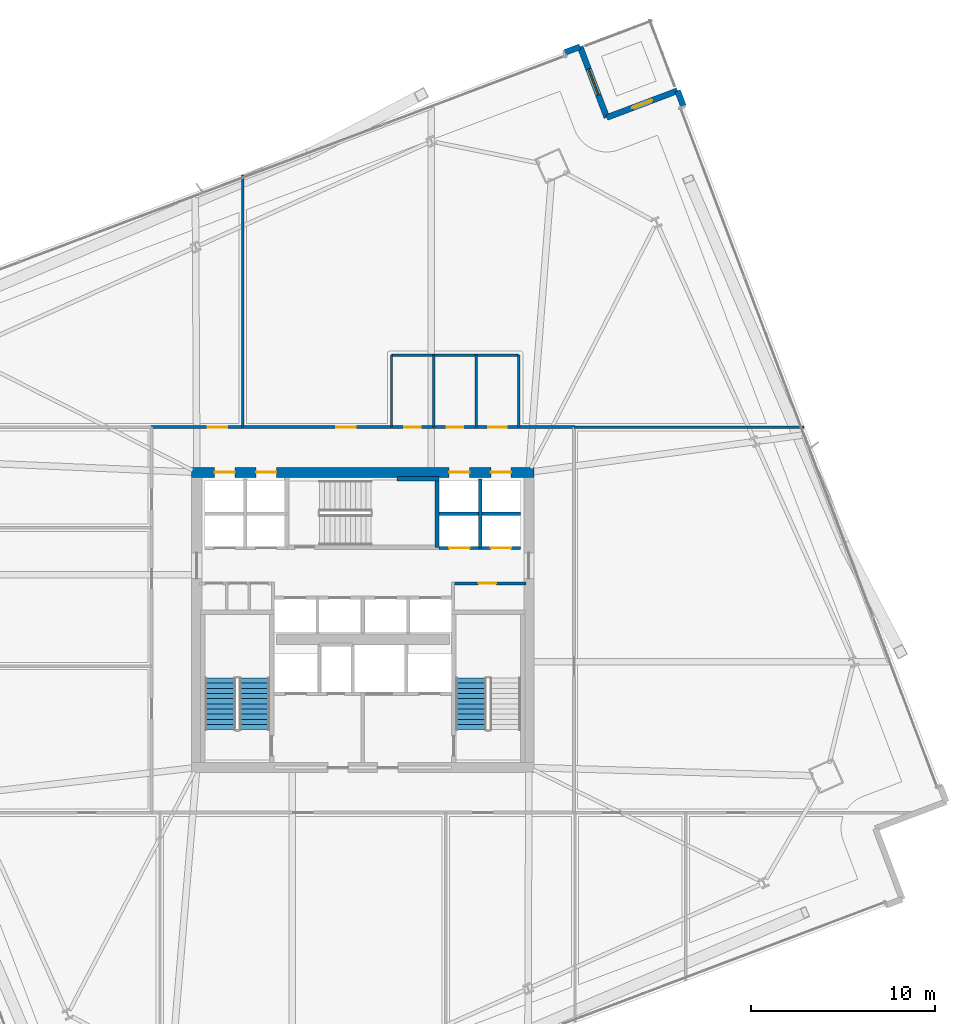
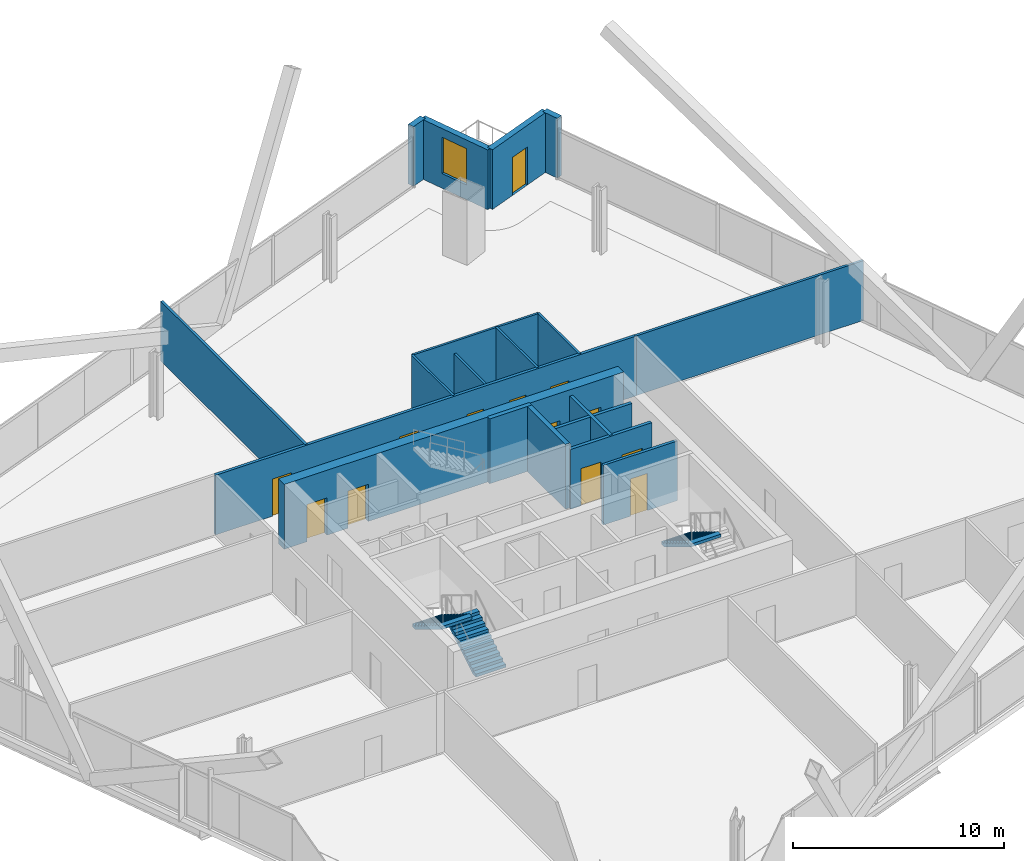
# One storey, part 31 of 37: 19 walls, 13 doors, 3 stair flights, 1 window, 14 openings, 2 elements without a shape of their own.
"""IFC4 building model written with IfcOpenShell, lengths in metres."""

from ifc_helpers import new_model, si_unit, direction, frame, frame_2d, origin, place, context, subcontext, project, spatial, polyline, rectangle, outline, extrude, material, layer, layer_set, type_object, element, fill, aggregate, save


model = new_model("IFC4")

# Units and contexts
model_context = context("Model", 3, precision=1e-05, world=origin(), true_north=direction((0.0, 1.0)))
body_context = subcontext(model_context, "Body", "Model", "MODEL_VIEW")
ifc_project = project(units=[si_unit("LENGTHUNIT", "METRE"), si_unit("AREAUNIT", "SQUARE_METRE"), si_unit("VOLUMEUNIT", "CUBIC_METRE"), si_unit("PLANEANGLEUNIT", "RADIAN"), si_unit("MASSUNIT", "GRAM", prefix="KILO")], contexts=[model_context])

# Site, building, storey
site_placement = place(None, origin())
site = spatial("IfcSite", under=ifc_project, at=site_placement, CompositionType="ELEMENT")
building_placement = place(site_placement, origin())
building = spatial("IfcBuilding", under=site, at=building_placement, Name="Haldenkirk Collegiate Tower", CompositionType="ELEMENT")
storey_placement = place(building_placement, frame((0.0, 0.0, 97.949951171875)))
storey = spatial("IfcBuildingStorey", under=building, at=storey_placement, Name="L23", CompositionType="ELEMENT", Elevation=97.949951171875)

# Wall, openings, doors
ifc_material_1 = material(Name="Concrete f'c 70 MPa", Category="concrete")
ifc_layer_1 = layer(ifc_material_1, 0.550048828125)
ifc_layer_set_1 = layer_set([ifc_layer_1], Name="Concrete f'c 70 MPa")
wall_type_1 = type_object("IfcWallType", Name="WL-CORE-550", PredefinedType="SHEAR", material=ifc_layer_set_1)
wall_1_placement = place(storey_placement, frame((26.72509765625, 34.0, 0.0), z_axis=(0.0, 0.0, 1.0), x_axis=(1.0, 0.0, 0.0)))
wall_1 = element("IfcWall", 1, at=wall_1_placement, inside=storey, type_object=wall_type_1, Name="L23 central core shear wall N", PredefinedType="SHEAR", context=body_context, shape_type="SweptSolid", body=[
    extrude(rectangle(XDim=18.5498046875, YDim=0.550048828125, at=frame_2d((9.27490234375, 0.0))), origin(), (0.0, 0.0, 1.0), 3.75),
])
opening_1_placement = place(wall_1_placement, frame((1.239990234375, 0.0, 0.0)))
opening_1 = element("IfcOpeningElement", 2, at=opening_1_placement, cuts=wall_1, Name="Opening LD-11", PredefinedType="OPENING", context=body_context, shape_type="SweptSolid", body=[
    extrude(rectangle(XDim=1.10009765625, YDim=2.14990234375, at=frame_2d((0.550048828125, 1.074951171875))), frame((0.0, 0.284912109375, 0.0), z_axis=(0.0, -1.0, 0.0), x_axis=(1.0, 0.0, 0.0)), (0.0, 0.0, 1.0), 0.570068359375),
])
opening_2_placement = place(wall_1_placement, frame((3.489990234375, 0.0, 0.0)))
opening_2 = element("IfcOpeningElement", 3, at=opening_2_placement, cuts=wall_1, Name="Opening LD-11", PredefinedType="OPENING", context=body_context, shape_type="SweptSolid", body=[
    extrude(rectangle(XDim=1.10009765625, YDim=2.14990234375, at=frame_2d((0.550048828125, 1.074951171875))), frame((0.0, 0.284912109375, 0.0), z_axis=(0.0, -1.0, 0.0), x_axis=(1.0, 0.0, 0.0)), (0.0, 0.0, 1.0), 0.570068359375),
])
opening_3_placement = place(wall_1_placement, frame((13.9599609375, 0.0, 0.0)))
opening_3 = element("IfcOpeningElement", 4, at=opening_3_placement, cuts=wall_1, Name="Opening LD-11", PredefinedType="OPENING", context=body_context, shape_type="SweptSolid", body=[
    extrude(rectangle(XDim=1.10009765625, YDim=2.14990234375, at=frame_2d((0.550048828125, 1.074951171875))), frame((0.0, 0.284912109375, 0.0), z_axis=(0.0, -1.0, 0.0), x_axis=(1.0, 0.0, 0.0)), (0.0, 0.0, 1.0), 0.570068359375),
])
opening_4_placement = place(wall_1_placement, frame((16.2099609375, 0.0, 0.0)))
opening_4 = element("IfcOpeningElement", 5, at=opening_4_placement, cuts=wall_1, Name="Opening LD-11", PredefinedType="OPENING", context=body_context, shape_type="SweptSolid", body=[
    extrude(rectangle(XDim=1.10009765625, YDim=2.14990234375, at=frame_2d((0.550048828125, 1.074951171875))), frame((0.0, 0.284912109375, 0.0), z_axis=(0.0, -1.0, 0.0), x_axis=(1.0, 0.0, 0.0)), (0.0, 0.0, 1.0), 0.570068359375),
])
ifc_material_2 = material(Name="Brushed architectural stainless steel", Category="steel")
ifc_layer_2 = layer(ifc_material_2, 0.06005859375)
ifc_layer_set_2 = layer_set([ifc_layer_2], Name="Brushed architectural stainless steel")
door_type_1 = type_object("IfcDoorType", Name="LD-PASS-1100", OperationType="NOTDEFINED", PredefinedType="DOOR", material=ifc_layer_set_2)
door_1_placement = place(opening_1_placement, origin())
door_1 = element("IfcDoor", 6, at=door_1_placement, inside=storey, type_object=door_type_1, Name="L23 Elevator PL3 sliding landing door", OperationType="SLIDING_TO_LEFT", OverallHeight=2.14990234375, OverallWidth=1.10009765625, PredefinedType="DOOR", context=body_context, shape_type="SweptSolid", body=[
    extrude(rectangle(XDim=1.10009765625, YDim=2.14990234375, at=frame_2d((0.550048828125, 1.074951171875))), frame((0.0, 0.02490234375, 0.0), z_axis=(0.0, -1.0, 0.0), x_axis=(1.0, 0.0, 0.0)), (0.0, 0.0, 1.0), 0.050048828125),
])
fill(opening_1, door_1)
door_2_placement = place(opening_2_placement, origin())
door_2 = element("IfcDoor", 7, at=door_2_placement, inside=storey, type_object=door_type_1, Name="L23 Elevator PL4 sliding landing door", OperationType="SLIDING_TO_LEFT", OverallHeight=2.14990234375, OverallWidth=1.10009765625, PredefinedType="DOOR", context=body_context, shape_type="SweptSolid", body=[
    extrude(rectangle(XDim=1.10009765625, YDim=2.14990234375, at=frame_2d((0.550048828125, 1.074951171875))), frame((0.0, 0.02490234375, 0.0), z_axis=(0.0, -1.0, 0.0), x_axis=(1.0, 0.0, 0.0)), (0.0, 0.0, 1.0), 0.050048828125),
])
fill(opening_2, door_2)
door_3_placement = place(opening_3_placement, origin())
door_3 = element("IfcDoor", 8, at=door_3_placement, inside=storey, type_object=door_type_1, Name="L23 Elevator PM3 sliding landing door", OperationType="SLIDING_TO_LEFT", OverallHeight=2.14990234375, OverallWidth=1.10009765625, PredefinedType="DOOR", context=body_context, shape_type="SweptSolid", body=[
    extrude(rectangle(XDim=1.10009765625, YDim=2.14990234375, at=frame_2d((0.550048828125, 1.074951171875))), frame((0.0, 0.02490234375, 0.0), z_axis=(0.0, -1.0, 0.0), x_axis=(1.0, 0.0, 0.0)), (0.0, 0.0, 1.0), 0.050048828125),
])
fill(opening_3, door_3)
door_4_placement = place(opening_4_placement, origin())
door_4 = element("IfcDoor", 9, at=door_4_placement, inside=storey, type_object=door_type_1, Name="L23 Elevator PM4 sliding landing door", OperationType="SLIDING_TO_LEFT", OverallHeight=2.14990234375, OverallWidth=1.10009765625, PredefinedType="DOOR", context=body_context, shape_type="SweptSolid", body=[
    extrude(rectangle(XDim=1.10009765625, YDim=2.14990234375, at=frame_2d((0.550048828125, 1.074951171875))), frame((0.0, 0.02490234375, 0.0), z_axis=(0.0, -1.0, 0.0), x_axis=(1.0, 0.0, 0.0)), (0.0, 0.0, 1.0), 0.050048828125),
])
fill(opening_4, door_4)

# Wall
ifc_material_3 = material(Name="Precast concrete f'c 40 MPa", Category="concrete")
ifc_layer_3 = layer(ifc_material_3, 0.320068359375)
ifc_layer_set_3 = layer_set([ifc_layer_3], Name="Precast concrete f'c 40 MPa")
wall_type_2 = type_object("IfcWallType", Name="WL-EXT-TWR-320", PredefinedType="STANDARD", material=ifc_layer_set_3)
wall_2_placement = place(storey_placement, frame((53.062744140625, 54.682861328125, 0.0), z_axis=(0.0, 0.0, 1.0), x_axis=(0.353500808466, -0.93543421918, 0.0)))
element("IfcWall", 10, at=wall_2_placement, inside=storey, type_object=wall_type_2, Name="L23 precast corner pier EL", PredefinedType="STANDARD", context=body_context, shape_type="SweptSolid", body=[
    extrude(rectangle(XDim=0.89990234375, YDim=0.320068359375, at=frame_2d((0.449951171875, 0.0))), origin(), (0.0, 0.0, 1.0), 3.449951171875),
])

# Wall, opening, door
wall_3_placement = place(storey_placement, frame((49.2275390625, 53.233642578125, 0.0), z_axis=(0.0, 0.0, 1.0), x_axis=(0.935442779556, 0.353478155162, 0.0)))
wall_3 = element("IfcWall", 11, at=wall_3_placement, inside=storey, type_object=wall_type_2, Name="L23 bronze precast notch wall 05", PredefinedType="STANDARD", context=body_context, shape_type="SweptSolid", body=[
    extrude(rectangle(XDim=4.099853515625, YDim=0.320068359375, at=frame_2d((2.0498046875, 0.0))), origin(), (0.0, 0.0, 1.0), 3.449951171875),
])
opening_5_placement = place(wall_3_placement, frame((1.47509765625, 0.0, 0.0)))
opening_5 = element("IfcOpeningElement", 12, at=opening_5_placement, cuts=wall_3, Name="Opening D-ST11", PredefinedType="OPENING", context=body_context, shape_type="SweptSolid", body=[
    extrude(rectangle(XDim=1.14990234375, YDim=2.199951171875, at=frame_2d((0.574951171875, 1.10009765625))), frame((0.0, 0.169921875, 0.0), z_axis=(0.0, -1.0, 0.0), x_axis=(1.0, 0.0, 0.0)), (0.0, 0.0, 1.0), 0.340087890625),
])
ifc_material_4 = material(Name="Anodised architectural bronze aluminium", Category="aluminium")
ifc_layer_4 = layer(ifc_material_4, 0.080078125)
ifc_layer_set_4 = layer_set([ifc_layer_4], Name="Anodised architectural bronze aluminium")
door_type_2 = type_object("IfcDoorType", Name="DR-EXT-STER-1150", OperationType="NOTDEFINED", PredefinedType="DOOR", material=ifc_layer_set_4)
door_5_placement = place(opening_5_placement, origin())
door_5 = element("IfcDoor", 13, at=door_5_placement, inside=storey, type_object=door_type_2, Name="L23 spiralling terrace door", OperationType="SINGLE_SWING_RIGHT", OverallHeight=2.199951171875, OverallWidth=1.14990234375, PredefinedType="DOOR", context=body_context, shape_type="SweptSolid", body=[
    extrude(rectangle(XDim=1.14990234375, YDim=2.199951171875, at=frame_2d((0.574951171875, 1.10009765625))), frame((0.0, 0.02490234375, 0.0), z_axis=(0.0, -1.0, 0.0), x_axis=(1.0, 0.0, 0.0)), (0.0, 0.0, 1.0), 0.050048828125),
])
fill(opening_5, door_5)

# Wall, opening, window
wall_4_placement = place(storey_placement, frame((47.7783203125, 57.069091796875, 0.0), z_axis=(0.0, 0.0, 1.0), x_axis=(0.353458466055, -0.935450219292, 0.0)))
wall_4 = element("IfcWall", 14, at=wall_4_placement, inside=storey, type_object=wall_type_2, Name="L23 bronze precast notch wall 06", PredefinedType="STANDARD", context=body_context, shape_type="SweptSolid", body=[
    extrude(rectangle(XDim=4.10009765625, YDim=0.320068359375, at=frame_2d((2.050048828125, 0.0))), origin(), (0.0, 0.0, 1.0), 3.449951171875),
])
opening_6_placement = place(wall_4_placement, frame((1.300048828125, 0.0, 0.85009765625)))
opening_6 = element("IfcOpeningElement", 15, at=opening_6_placement, cuts=wall_4, Name="Opening W-04", PredefinedType="OPENING", context=body_context, shape_type="SweptSolid", body=[
    extrude(rectangle(XDim=1.5, YDim=2.10009765625, at=frame_2d((0.75, 1.050048828125))), frame((0.0, 0.169921875, 0.0), z_axis=(0.0, -1.0, 0.0), x_axis=(1.0, 0.0, 0.0)), (0.0, 0.0, 1.0), 0.340087890625),
])
ifc_material_5 = material(Name="Low-E argon triple insulating glass", Category="glass")
ifc_layer_5 = layer(ifc_material_5, 0.090087890625)
ifc_layer_set_5 = layer_set([ifc_layer_5], Name="Low-E argon triple insulating glass")
window_type = type_object("IfcWindowType", Name="WN-Z2-1500X2100", PartitioningType="SINGLE_PANEL", PredefinedType="WINDOW", material=ifc_layer_set_5)
window_placement = place(opening_6_placement, origin())
window = element("IfcWindow", 16, at=window_placement, inside=storey, type_object=window_type, Name="L23 precast-frame academic window 5", OverallHeight=2.10009765625, OverallWidth=1.5, PartitioningType="SINGLE_PANEL", PredefinedType="WINDOW", context=body_context, shape_type="SweptSolid", body=[
    extrude(rectangle(XDim=1.5, YDim=2.10009765625, at=frame_2d((0.75, 1.050048828125))), frame((0.0, 0.030029296875, 0.0), z_axis=(0.0, -1.0, 0.0), x_axis=(1.0, 0.0, 0.0)), (0.0, 0.0, 1.0), 0.06005859375),
])
fill(opening_6, window)

# Wall
wall_5_placement = place(storey_placement, frame((46.936279296875, 56.7509765625, 0.0), z_axis=(0.0, 0.0, 1.0), x_axis=(0.935468108396, 0.353411117785, 0.0)))
element("IfcWall", 17, at=wall_5_placement, inside=storey, type_object=wall_type_2, Name="L23 precast corner pier NR", PredefinedType="STANDARD", context=body_context, shape_type="SweptSolid", body=[
    extrude(rectangle(XDim=0.900146484375, YDim=0.320068359375, at=frame_2d((0.4501953125, 0.0))), origin(), (0.0, 0.0, 1.0), 3.449951171875),
])

# Wall, opening, door
ifc_material_6 = material(Name="Acoustic fire-rated gypsum partition", Category="concrete")
ifc_layer_6 = layer(ifc_material_6, 0.159912109375)
ifc_layer_set_6 = layer_set([ifc_layer_6], Name="Acoustic fire-rated gypsum partition")
wall_type_3 = type_object("IfcWallType", Name="WL-INT-CORR-160", PredefinedType="PARTITIONING", material=ifc_layer_set_6)
wall_6_placement = place(storey_placement, frame((40.800048828125, 27.97998046875, 0.0), z_axis=(0.0, 0.0, 1.0), x_axis=(1.0, 0.0, 0.0)))
wall_6 = element("IfcWall", 18, at=wall_6_placement, inside=storey, type_object=wall_type_3, Name="L23 interior partition IW-L23-VCSE-N", PredefinedType="PARTITIONING", context=body_context, shape_type="SweptSolid", body=[
    extrude(rectangle(XDim=4.050048828125, YDim=0.159912109375, at=frame_2d((2.02490234375, 0.0))), origin(), (0.0, 0.0, 1.0), 3.449951171875),
])
opening_7_placement = place(wall_6_placement, frame((1.47509765625, 0.0, 0.0)))
opening_7 = element("IfcOpeningElement", 19, at=opening_7_placement, cuts=wall_6, Name="Opening D-10", PredefinedType="OPENING", context=body_context, shape_type="SweptSolid", body=[
    extrude(rectangle(XDim=0.949951171875, YDim=2.14990234375, at=frame_2d((0.47509765625, 1.074951171875))), frame((0.0, 0.08984375, 0.0), z_axis=(0.0, -1.0, 0.0), x_axis=(1.0, 0.0, 0.0)), (0.0, 0.0, 1.0), 0.179931640625),
])
ifc_material_7 = material(Name="Solid-core architectural oak fire door", Category="wood")
ifc_layer_7 = layer(ifc_material_7, 0.06005859375)
ifc_layer_set_7 = layer_set([ifc_layer_7], Name="Solid-core architectural oak fire door")
door_type_3 = type_object("IfcDoorType", Name="DR-INT-FD60-950", OperationType="NOTDEFINED", PredefinedType="DOOR", material=ifc_layer_set_7)
door_6_placement = place(opening_7_placement, origin())
door_6 = element("IfcDoor", 20, at=door_6_placement, inside=storey, type_object=door_type_3, Name="L23 core archive vault door", OperationType="SINGLE_SWING_LEFT", OverallHeight=2.14990234375, OverallWidth=0.949951171875, PredefinedType="DOOR", context=body_context, shape_type="SweptSolid", body=[
    extrude(rectangle(XDim=0.949951171875, YDim=2.14990234375, at=frame_2d((0.47509765625, 1.074951171875))), frame((0.0, 0.02490234375, 0.0), z_axis=(0.0, -1.0, 0.0), x_axis=(1.0, 0.0, 0.0)), (0.0, 0.0, 1.0), 0.050048828125),
])
fill(opening_7, door_6)

# Wall, openings, doors
wall_7_placement = place(storey_placement, frame((24.5, 36.449951171875, 0.0), z_axis=(0.0, 0.0, 1.0), x_axis=(1.0, 0.0, 0.0)))
wall_7 = element("IfcWall", 21, at=wall_7_placement, inside=storey, type_object=wall_type_3, Name="L23 interior partition IW-L23-CN", PredefinedType="PARTITIONING", context=body_context, shape_type="SweptSolid", body=[
    extrude(rectangle(XDim=23.0, YDim=0.159912109375, at=frame_2d((11.5, 0.0))), origin(), (0.0, 0.0, 1.0), 3.449951171875),
])
opening_8_placement = place(wall_7_placement, frame((13.75, 0.0, 0.0)))
opening_8 = element("IfcOpeningElement", 22, at=opening_8_placement, cuts=wall_7, Name="Opening D-13", PredefinedType="OPENING", context=body_context, shape_type="SweptSolid", body=[
    extrude(rectangle(XDim=0.89990234375, YDim=2.14990234375, at=frame_2d((0.449951171875, 1.074951171875))), frame((0.0, 0.08984375, 0.0), z_axis=(0.0, -1.0, 0.0), x_axis=(1.0, 0.0, 0.0)), (0.0, 0.0, 1.0), 0.179931640625),
])
opening_9_placement = place(wall_7_placement, frame((16.050048828125, 0.0, 0.0)))
opening_9 = element("IfcOpeningElement", 23, at=opening_9_placement, cuts=wall_7, Name="Opening D-13", PredefinedType="OPENING", context=body_context, shape_type="SweptSolid", body=[
    extrude(rectangle(XDim=0.89990234375, YDim=2.14990234375, at=frame_2d((0.449951171875, 1.074951171875))), frame((0.0, 0.08984375, 0.0), z_axis=(0.0, -1.0, 0.0), x_axis=(1.0, 0.0, 0.0)), (0.0, 0.0, 1.0), 0.179931640625),
])
opening_10_placement = place(wall_7_placement, frame((18.300048828125, 0.0, 0.0)))
opening_10 = element("IfcOpeningElement", 24, at=opening_10_placement, cuts=wall_7, Name="Opening D-14", PredefinedType="OPENING", context=body_context, shape_type="SweptSolid", body=[
    extrude(rectangle(XDim=1.0, YDim=2.14990234375, at=frame_2d((0.5, 1.074951171875))), frame((0.0, 0.08984375, 0.0), z_axis=(0.0, -1.0, 0.0), x_axis=(1.0, 0.0, 0.0)), (0.0, 0.0, 1.0), 0.179931640625),
])
opening_11_placement = place(wall_7_placement, frame((3.10107421875, 0.0, 0.0)))
opening_11 = element("IfcOpeningElement", 25, at=opening_11_placement, cuts=wall_7, Name="Opening D-09", PredefinedType="OPENING", context=body_context, shape_type="SweptSolid", body=[
    extrude(rectangle(XDim=1.050048828125, YDim=2.14990234375, at=frame_2d((0.52490234375, 1.074951171875))), frame((0.0, 0.08984375, 0.0), z_axis=(0.0, -1.0, 0.0), x_axis=(1.0, 0.0, 0.0)), (0.0, 0.0, 1.0), 0.179931640625),
])
opening_12_placement = place(wall_7_placement, frame((10.054931640625, 0.0, 0.0)))
opening_12 = element("IfcOpeningElement", 26, at=opening_12_placement, cuts=wall_7, Name="Opening D-09", PredefinedType="OPENING", context=body_context, shape_type="SweptSolid", body=[
    extrude(rectangle(XDim=1.050048828125, YDim=2.14990234375, at=frame_2d((0.52490234375, 1.074951171875))), frame((0.0, 0.08984375, 0.0), z_axis=(0.0, -1.0, 0.0), x_axis=(1.0, 0.0, 0.0)), (0.0, 0.0, 1.0), 0.179931640625),
])
ifc_layer_8 = layer(ifc_material_7, 0.06005859375)
ifc_layer_set_8 = layer_set([ifc_layer_8], Name="Solid-core architectural oak fire door")
door_type_4 = type_object("IfcDoorType", Name="DR-INT-ACC-1000", OperationType="NOTDEFINED", PredefinedType="DOOR", material=ifc_layer_set_8)
door_7_placement = place(opening_10_placement, origin())
door_7 = element("IfcDoor", 27, at=door_7_placement, inside=storey, type_object=door_type_4, Name="L23 Accessible WC door", OperationType="SINGLE_SWING_RIGHT", OverallHeight=2.14990234375, OverallWidth=1.0, PredefinedType="DOOR", context=body_context, shape_type="SweptSolid", body=[
    extrude(rectangle(XDim=1.0, YDim=2.14990234375, at=frame_2d((0.5, 1.074951171875))), frame((0.0, 0.02490234375, 0.0), z_axis=(0.0, -1.0, 0.0), x_axis=(1.0, 0.0, 0.0)), (0.0, 0.0, 1.0), 0.050048828125),
])
fill(opening_10, door_7)
ifc_layer_9 = layer(ifc_material_7, 0.06005859375)
ifc_layer_set_9 = layer_set([ifc_layer_9], Name="Solid-core architectural oak fire door")
door_type_5 = type_object("IfcDoorType", Name="DR-INT-FD60-1050", OperationType="NOTDEFINED", PredefinedType="DOOR", material=ifc_layer_set_9)
door_8_placement = place(opening_11_placement, origin())
door_8 = element("IfcDoor", 28, at=door_8_placement, inside=storey, type_object=door_type_5, Name="L23 Tutorial Seminar Room 6 door", OperationType="SINGLE_SWING_RIGHT", OverallHeight=2.14990234375, OverallWidth=1.050048828125, PredefinedType="DOOR", context=body_context, shape_type="SweptSolid", body=[
    extrude(rectangle(XDim=1.050048828125, YDim=2.14990234375, at=frame_2d((0.52490234375, 1.074951171875))), frame((0.0, 0.02490234375, 0.0), z_axis=(0.0, -1.0, 0.0), x_axis=(1.0, 0.0, 0.0)), (0.0, 0.0, 1.0), 0.050048828125),
])
fill(opening_11, door_8)
door_9_placement = place(opening_12_placement, origin())
door_9 = element("IfcDoor", 29, at=door_9_placement, inside=storey, type_object=door_type_5, Name="L23 Faculty Office 7 door", OperationType="SINGLE_SWING_LEFT", OverallHeight=2.14990234375, OverallWidth=1.050048828125, PredefinedType="DOOR", context=body_context, shape_type="SweptSolid", body=[
    extrude(rectangle(XDim=1.050048828125, YDim=2.14990234375, at=frame_2d((0.52490234375, 1.074951171875))), frame((0.0, 0.02490234375, 0.0), z_axis=(0.0, -1.0, 0.0), x_axis=(1.0, 0.0, 0.0)), (0.0, 0.0, 1.0), 0.050048828125),
])
fill(opening_12, door_9)
ifc_layer_10 = layer(ifc_material_7, 0.06005859375)
ifc_layer_set_10 = layer_set([ifc_layer_10], Name="Solid-core architectural oak fire door")
door_type_6 = type_object("IfcDoorType", Name="DR-INT-STD-900", OperationType="NOTDEFINED", PredefinedType="DOOR", material=ifc_layer_set_10)
door_10_placement = place(opening_8_placement, origin())
door_10 = element("IfcDoor", 30, at=door_10_placement, inside=storey, type_object=door_type_6, Name="L23 Male WC door", OperationType="SINGLE_SWING_RIGHT", OverallHeight=2.14990234375, OverallWidth=0.89990234375, PredefinedType="DOOR", context=body_context, shape_type="SweptSolid", body=[
    extrude(rectangle(XDim=0.89990234375, YDim=2.14990234375, at=frame_2d((0.449951171875, 1.074951171875))), frame((0.0, 0.02490234375, 0.0), z_axis=(0.0, -1.0, 0.0), x_axis=(1.0, 0.0, 0.0)), (0.0, 0.0, 1.0), 0.050048828125),
])
fill(opening_8, door_10)
door_11_placement = place(opening_9_placement, origin())
door_11 = element("IfcDoor", 31, at=door_11_placement, inside=storey, type_object=door_type_6, Name="L23 Female WC door", OperationType="SINGLE_SWING_LEFT", OverallHeight=2.14990234375, OverallWidth=0.89990234375, PredefinedType="DOOR", context=body_context, shape_type="SweptSolid", body=[
    extrude(rectangle(XDim=0.89990234375, YDim=2.14990234375, at=frame_2d((0.449951171875, 1.074951171875))), frame((0.0, 0.02490234375, 0.0), z_axis=(0.0, -1.0, 0.0), x_axis=(1.0, 0.0, 0.0)), (0.0, 0.0, 1.0), 0.050048828125),
])
fill(opening_9, door_11)

# Walls
ifc_layer_11 = layer(ifc_material_6, 0.139892578125)
ifc_layer_set_11 = layer_set([ifc_layer_11], Name="Acoustic fire-rated gypsum partition")
wall_type_4 = type_object("IfcWallType", Name="WL-INT-DIV-140", PredefinedType="PARTITIONING", material=ifc_layer_set_11)
wall_8_placement = place(storey_placement, frame((47.449951171875, 36.449951171875, 0.0), z_axis=(0.0, 0.0, 1.0), x_axis=(1.0, 0.0, 0.0)))
element("IfcWall", 32, at=wall_8_placement, inside=storey, type_object=wall_type_4, Name="L23 interior partition IW-L23-BEN", PredefinedType="PARTITIONING", context=body_context, shape_type="SweptSolid", body=[
    extrude(rectangle(XDim=12.459716796875, YDim=0.139892578125, at=frame_2d((6.22998046875, 0.0))), origin(), (0.0, 0.0, 1.0), 3.449951171875),
])
wall_9_placement = place(storey_placement, frame((29.5, 36.449951171875, 0.0), z_axis=(0.0, 0.0, 1.0), x_axis=(0.0, 1.0, 0.0)))
element("IfcWall", 33, at=wall_9_placement, inside=storey, type_object=wall_type_4, Name="L23 interior partition IW-L23-RN1", PredefinedType="PARTITIONING", context=body_context, shape_type="SweptSolid", body=[
    extrude(rectangle(XDim=13.66943359375, YDim=0.139892578125, at=frame_2d((6.834716796875, 0.0))), origin(), (0.0, 0.0, 1.0), 3.449951171875),
])

# Wall, openings, doors
ifc_material_8 = material(Name="Fire-rated gypsum shaftboard assembly", Category="concrete")
ifc_layer_12 = layer(ifc_material_8, 0.179931640625)
ifc_layer_set_12 = layer_set([ifc_layer_12], Name="Fire-rated gypsum shaftboard assembly")
wall_type_5 = type_object("IfcWallType", Name="WL-INT-SHAFT-180", PredefinedType="PARTITIONING", material=ifc_layer_set_12)
wall_10_placement = place(storey_placement, frame((40.1201171875, 29.89990234375, 0.0), z_axis=(0.0, 0.0, 1.0), x_axis=(1.0, 0.0, 0.0)))
wall_10 = element("IfcWall", 34, at=wall_10_placement, inside=storey, type_object=wall_type_5, Name="L23 interior partition IW-L23-PMS", PredefinedType="PARTITIONING", context=body_context, shape_type="SweptSolid", body=[
    extrude(rectangle(XDim=4.429931640625, YDim=0.179931640625, at=frame_2d((2.21484375, 0.0))), origin(), (0.0, 0.0, 1.0), 3.449951171875),
])
opening_13_placement = place(wall_10_placement, frame((0.56494140625, 0.0, 0.0)))
opening_13 = element("IfcOpeningElement", 35, at=opening_13_placement, cuts=wall_10, Name="Opening LD-11", PredefinedType="OPENING", context=body_context, shape_type="SweptSolid", body=[
    extrude(rectangle(XDim=1.10009765625, YDim=2.14990234375, at=frame_2d((0.550048828125, 1.074951171875))), frame((0.0, 0.099853515625, 0.0), z_axis=(0.0, -1.0, 0.0), x_axis=(1.0, 0.0, 0.0)), (0.0, 0.0, 1.0), 0.199951171875),
])
opening_14_placement = place(wall_10_placement, frame((2.81494140625, 0.0, 0.0)))
opening_14 = element("IfcOpeningElement", 36, at=opening_14_placement, cuts=wall_10, Name="Opening LD-11", PredefinedType="OPENING", context=body_context, shape_type="SweptSolid", body=[
    extrude(rectangle(XDim=1.10009765625, YDim=2.14990234375, at=frame_2d((0.550048828125, 1.074951171875))), frame((0.0, 0.099853515625, 0.0), z_axis=(0.0, -1.0, 0.0), x_axis=(1.0, 0.0, 0.0)), (0.0, 0.0, 1.0), 0.199951171875),
])
door_12_placement = place(opening_13_placement, origin())
door_12 = element("IfcDoor", 37, at=door_12_placement, inside=storey, type_object=door_type_1, Name="L23 Elevator PM1 sliding landing door", OperationType="SLIDING_TO_LEFT", OverallHeight=2.14990234375, OverallWidth=1.10009765625, PredefinedType="DOOR", context=body_context, shape_type="SweptSolid", body=[
    extrude(rectangle(XDim=1.10009765625, YDim=2.14990234375, at=frame_2d((0.550048828125, 1.074951171875))), frame((0.0, 0.02490234375, 0.0), z_axis=(0.0, -1.0, 0.0), x_axis=(1.0, 0.0, 0.0)), (0.0, 0.0, 1.0), 0.050048828125),
])
fill(opening_13, door_12)
door_13_placement = place(opening_14_placement, origin())
door_13 = element("IfcDoor", 38, at=door_13_placement, inside=storey, type_object=door_type_1, Name="L23 Elevator PM2 sliding landing door", OperationType="SLIDING_TO_LEFT", OverallHeight=2.14990234375, OverallWidth=1.10009765625, PredefinedType="DOOR", context=body_context, shape_type="SweptSolid", body=[
    extrude(rectangle(XDim=1.10009765625, YDim=2.14990234375, at=frame_2d((0.550048828125, 1.074951171875))), frame((0.0, 0.02490234375, 0.0), z_axis=(0.0, -1.0, 0.0), x_axis=(1.0, 0.0, 0.0)), (0.0, 0.0, 1.0), 0.050048828125),
])
fill(opening_14, door_13)

# Walls
wall_11_placement = place(storey_placement, frame((40.1201171875, 31.75, 0.0), z_axis=(0.0, 0.0, 1.0), x_axis=(1.0, 0.0, 0.0)))
element("IfcWall", 39, at=wall_11_placement, inside=storey, type_object=wall_type_5, Name="L23 interior partition IW-L23-PMM", PredefinedType="PARTITIONING", context=body_context, shape_type="SweptSolid", body=[
    extrude(rectangle(XDim=4.429931640625, YDim=0.179931640625, at=frame_2d((2.21484375, 0.0))), origin(), (0.0, 0.0, 1.0), 3.449951171875),
])
wall_12_placement = place(storey_placement, frame((42.3701171875, 29.89990234375, 0.0), z_axis=(0.0, 0.0, 1.0), x_axis=(0.0, 1.0, 0.0)))
element("IfcWall", 40, at=wall_12_placement, inside=storey, type_object=wall_type_5, Name="L23 interior partition IW-L23-PMV", PredefinedType="PARTITIONING", context=body_context, shape_type="SweptSolid", body=[
    extrude(rectangle(XDim=3.75, YDim=0.179931640625, at=frame_2d((1.875, 0.0))), origin(), (0.0, 0.0, 1.0), 3.449951171875),
])
ifc_layer_13 = layer(ifc_material_6, 0.1201171875)
ifc_layer_set_13 = layer_set([ifc_layer_13], Name="Acoustic fire-rated gypsum partition")
wall_type_6 = type_object("IfcWallType", Name="WL-INT-WET-120", PredefinedType="PARTITIONING", material=ifc_layer_set_13)
wall_13_placement = place(storey_placement, frame((37.550048828125, 36.449951171875, 0.0), z_axis=(0.0, 0.0, 1.0), x_axis=(0.0, 1.0, 0.0)))
element("IfcWall", 41, at=wall_13_placement, inside=storey, type_object=wall_type_6, Name="L23 interior partition IW-L23-WCW", PredefinedType="PARTITIONING", context=body_context, shape_type="SweptSolid", body=[
    extrude(rectangle(XDim=3.900146484375, YDim=0.1201171875, at=frame_2d((1.9501953125, 0.0))), origin(), (0.0, 0.0, 1.0), 3.449951171875),
])
wall_14_placement = place(storey_placement, frame((39.85009765625, 36.449951171875, 0.0), z_axis=(0.0, 0.0, 1.0), x_axis=(0.0, 1.0, 0.0)))
element("IfcWall", 42, at=wall_14_placement, inside=storey, type_object=wall_type_6, Name="L23 interior partition IW-L23-WC1", PredefinedType="PARTITIONING", context=body_context, shape_type="SweptSolid", body=[
    extrude(rectangle(XDim=3.900146484375, YDim=0.1201171875, at=frame_2d((1.9501953125, 0.0))), origin(), (0.0, 0.0, 1.0), 2.7490234375),
])
for number, where, z_axis, x_axis, name in (
    (43, (42.14990234375, 36.449951171875, 0.0), (0.0, 0.0, 1.0), (0.0, 1.0, 0.0), "L23 interior partition IW-L23-WC2"),
    (44, (44.449951171875, 36.449951171875, 0.0), (0.0, 0.0, 1.0), (0.0, 1.0, 0.0), "L23 interior partition IW-L23-WCE"),
):
    element("IfcWall", number, at=place(storey_placement, frame(where, z_axis=z_axis, x_axis=x_axis)), inside=storey, type_object=wall_type_6, Name=name, PredefinedType="PARTITIONING", context=body_context, shape_type="SweptSolid", body=[
        extrude(rectangle(XDim=3.900146484375, YDim=0.1201171875, at=frame_2d((1.9501953125, 0.0))), origin(), (0.0, 0.0, 1.0), 3.449951171875),
    ])
wall_15_placement = place(storey_placement, frame((37.550048828125, 40.35009765625, 0.0), z_axis=(0.0, 0.0, 1.0), x_axis=(1.0, 0.0, 0.0)))
element("IfcWall", 45, at=wall_15_placement, inside=storey, type_object=wall_type_6, Name="L23 interior partition IW-L23-WCB", PredefinedType="PARTITIONING", context=body_context, shape_type="SweptSolid", body=[
    extrude(rectangle(XDim=6.89990234375, YDim=0.1201171875, at=frame_2d((3.449951171875, 0.0))), origin(), (0.0, 0.0, 1.0), 3.449951171875),
])
ifc_material_9 = material(Name="Concrete f'c 55 MPa", Category="concrete")
ifc_layer_14 = layer(ifc_material_9, 0.239990234375)
ifc_layer_set_14 = layer_set([ifc_layer_14], Name="Concrete f'c 55 MPa")
wall_type_7 = type_object("IfcWallType", Name="WL-SHAFT-240", PredefinedType="SHEAR", material=ifc_layer_set_14)
wall_16_placement = place(storey_placement, frame((40.02001953125, 29.929931640625, 0.0), z_axis=(0.0, 0.0, 1.0), x_axis=(0.0, 1.0, 0.0)))
element("IfcWall", 46, at=wall_16_placement, inside=storey, type_object=wall_type_7, Name="L23 stair shaft shear wall SW-L23-ST3E", PredefinedType="SHEAR", context=body_context, shape_type="SweptSolid", body=[
    extrude(rectangle(XDim=3.85009765625, YDim=0.239990234375, at=frame_2d((1.925048828125, 0.0))), origin(), (0.0, 0.0, 1.0), 3.75),
])
wall_17_placement = place(storey_placement, frame((37.85009765625, 33.659912109375, 0.0), z_axis=(0.0, 0.0, 1.0), x_axis=(1.0, 0.0, 0.0)))
element("IfcWall", 47, at=wall_17_placement, inside=storey, type_object=wall_type_7, Name="L23 stair shaft shear wall SW-L23-ST3N", PredefinedType="SHEAR", context=body_context, shape_type="SweptSolid", body=[
    extrude(rectangle(XDim=2.289794921875, YDim=0.239990234375, at=frame_2d((1.14501953125, 0.0))), origin(), (0.0, 0.0, 1.0), 3.75),
])

# Stair, stair flights
ifc_material_10 = material(Name="Concrete f'c 40 MPa", Category="concrete")
stair_type = type_object("IfcStairType", Name="STR-DOGLEG-1650", PredefinedType="HALF_TURN_STAIR", material=ifc_material_10)
stair_1_placement = place(storey_placement, origin())
stair_1 = element("IfcStair", 48, at=stair_1_placement, inside=storey, type_object=stair_type, Name="L23 Core Exit Stair ST-1", PredefinedType="HALF_TURN_STAIR")
stair_flight_type = type_object("IfcStairFlightType", Name="STF-FLIGHT-1650", PredefinedType="STRAIGHT", material=ifc_material_10)
stair_flight_1_placement = place(storey_placement, frame((30.125, 20.050048828125, 0.0), z_axis=(0.0, 0.0, 1.0), x_axis=(0.0, 1.0, 0.0)))
stair_flight_1 = element("IfcStairFlight", 49, at=stair_flight_1_placement, type_object=stair_flight_type, Name="ST-1 flight 1", NumberOfRisers=11, NumberOfTreads=10, PredefinedType="STRAIGHT", RiserHeight=0.170454545, TreadLength=0.28, context=body_context, shape_type="SweptSolid", body=[
    extrude(outline(polyline([(0.0, 0.0), (0.0, 0.17041015625), (0.280029296875, 0.17041015625), (0.280029296875, 0.3408203125), (0.56005859375, 0.3408203125), (0.56005859375, 0.511474609375), (0.840087890625, 0.511474609375), (0.840087890625, 0.681884765625), (1.1201171875, 0.681884765625), (1.1201171875, 0.852294921875), (1.39990234375, 0.852294921875), (1.39990234375, 1.022705078125), (1.679931640625, 1.022705078125), (1.679931640625, 1.193115234375), (1.9599609375, 1.193115234375), (1.9599609375, 1.363525390625), (2.239990234375, 1.363525390625), (2.239990234375, 1.5341796875), (2.52001953125, 1.5341796875), (2.52001953125, 1.70458984375), (2.800048828125, 1.70458984375), (2.800048828125, 1.875), (2.800048828125, 1.529052734375), (0.288330078125, 0.0), (0.0, 0.0)])), frame((0.0, 0.824951171875, 0.0), z_axis=(0.0, -1.0, 0.0), x_axis=(1.0, 0.0, 0.0)), (0.0, 0.0, 1.0), 1.64990234375),
])
stair_flight_2_placement = place(storey_placement, frame((28.27490234375, 22.85009765625, 1.875), z_axis=(0.0, 0.0, 1.0), x_axis=(0.0, -1.0, 0.0)))
stair_flight_2 = element("IfcStairFlight", 50, at=stair_flight_2_placement, type_object=stair_flight_type, Name="ST-1 flight 2", NumberOfRisers=11, NumberOfTreads=10, PredefinedType="STRAIGHT", RiserHeight=0.170454545, TreadLength=0.28, context=body_context, shape_type="SweptSolid", body=[
    extrude(outline(polyline([(0.0, 0.0), (0.0, 0.17041015625), (0.280029296875, 0.17041015625), (0.280029296875, 0.3408203125), (0.56005859375, 0.3408203125), (0.56005859375, 0.511474609375), (0.840087890625, 0.511474609375), (0.840087890625, 0.681884765625), (1.1201171875, 0.681884765625), (1.1201171875, 0.852294921875), (1.39990234375, 0.852294921875), (1.39990234375, 1.022705078125), (1.679931640625, 1.022705078125), (1.679931640625, 1.193115234375), (1.9599609375, 1.193115234375), (1.9599609375, 1.363525390625), (2.239990234375, 1.363525390625), (2.239990234375, 1.5341796875), (2.52001953125, 1.5341796875), (2.52001953125, 1.70458984375), (2.800048828125, 1.70458984375), (2.800048828125, 1.875), (2.800048828125, 1.529052734375), (0.288330078125, 0.0), (0.0, 0.0)])), frame((0.0, 0.824951171875, 0.0), z_axis=(0.0, -1.0, 0.0), x_axis=(1.0, 0.0, 0.0)), (0.0, 0.0, 1.0), 1.64990234375),
])
aggregate(stair_1, [stair_flight_1, stair_flight_2])

# Stair, stair flight
stair_2_placement = place(storey_placement, origin())
stair_2 = element("IfcStair", 51, at=stair_2_placement, inside=storey, type_object=stair_type, Name="L23 Core Exit Stair ST-2", PredefinedType="HALF_TURN_STAIR")
stair_flight_3_placement = place(storey_placement, frame((41.875, 22.85009765625, 1.875), z_axis=(0.0, 0.0, 1.0), x_axis=(0.0, -1.0, 0.0)))
stair_flight_3 = element("IfcStairFlight", 52, at=stair_flight_3_placement, type_object=stair_flight_type, Name="ST-2 flight 2", NumberOfRisers=11, NumberOfTreads=10, PredefinedType="STRAIGHT", RiserHeight=0.170454545, TreadLength=0.28, context=body_context, shape_type="SweptSolid", body=[
    extrude(outline(polyline([(0.0, 0.0), (0.0, 0.17041015625), (0.280029296875, 0.17041015625), (0.280029296875, 0.3408203125), (0.56005859375, 0.3408203125), (0.56005859375, 0.511474609375), (0.840087890625, 0.511474609375), (0.840087890625, 0.681884765625), (1.1201171875, 0.681884765625), (1.1201171875, 0.852294921875), (1.39990234375, 0.852294921875), (1.39990234375, 1.022705078125), (1.679931640625, 1.022705078125), (1.679931640625, 1.193115234375), (1.9599609375, 1.193115234375), (1.9599609375, 1.363525390625), (2.239990234375, 1.363525390625), (2.239990234375, 1.5341796875), (2.52001953125, 1.5341796875), (2.52001953125, 1.70458984375), (2.800048828125, 1.70458984375), (2.800048828125, 1.875), (2.800048828125, 1.529052734375), (0.288330078125, 0.0), (0.0, 0.0)])), frame((0.0, 0.824951171875, 0.0), z_axis=(0.0, -1.0, 0.0), x_axis=(1.0, 0.0, 0.0)), (0.0, 0.0, 1.0), 1.64990234375),
])
aggregate(stair_2, [stair_flight_3])

save(model, "model.ifc")
